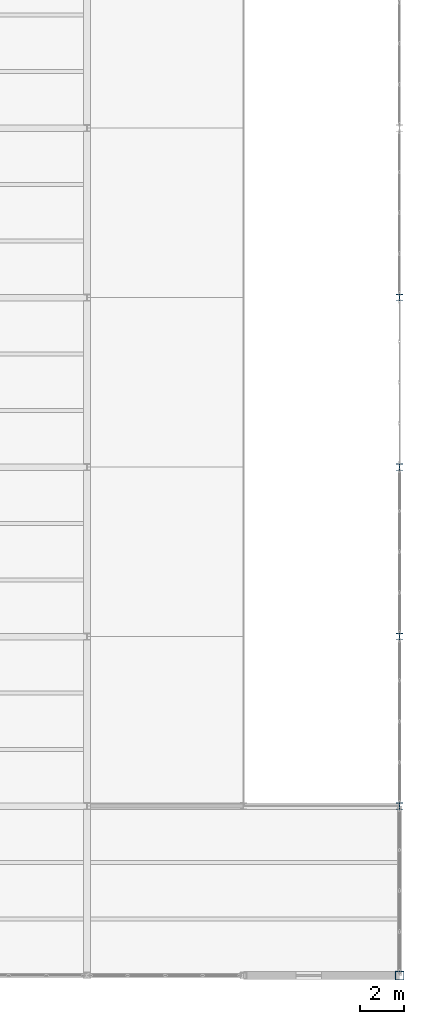
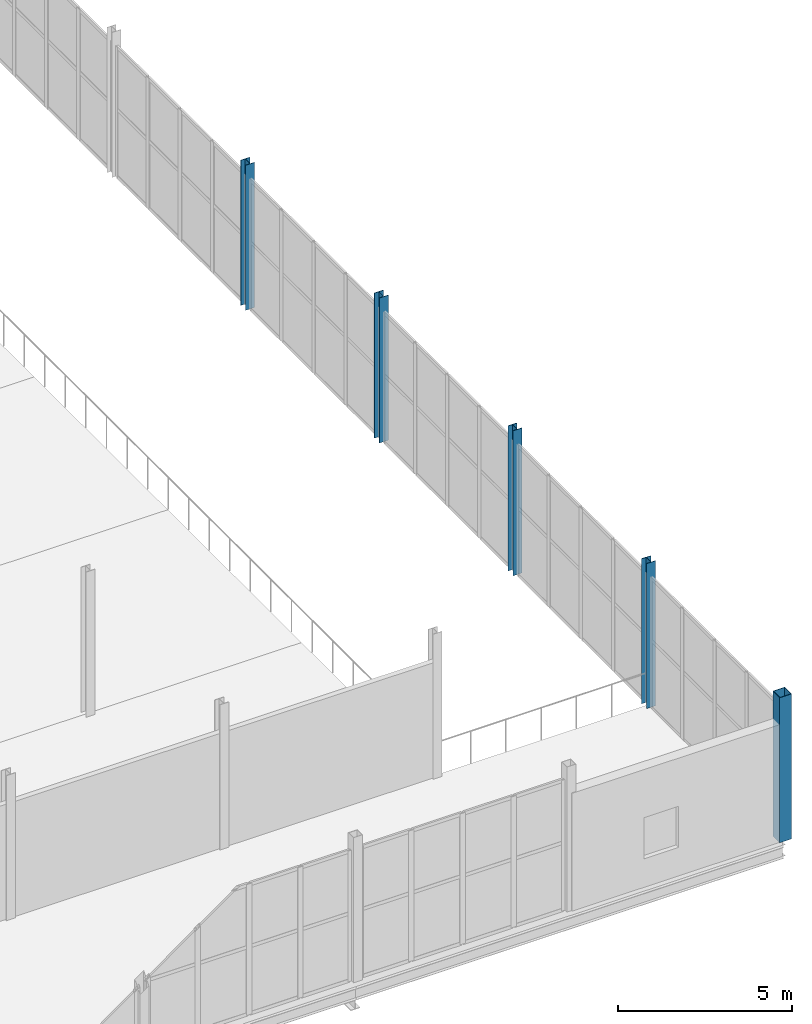
# One storey, part 23 of 218: 5 columns.
"""IFC4 building model written with IfcOpenShell, lengths in metres."""

from ifc_helpers import new_model, si_unit, direction, frame, origin, origin_2d, place, context, subcontext, project, spatial, hollow_rectangle, i_section, extrude, material, material_profile, profile_set, type_object, element, save


model = new_model("IFC4")

# Units and contexts
model_context = context("Model", 3, precision=1e-05, world=origin(), true_north=direction((0.0, 1.0)))
body_context = subcontext(model_context, "Body", "Model", "MODEL_VIEW")
ifc_project = project(units=[si_unit("LENGTHUNIT", "METRE"), si_unit("AREAUNIT", "SQUARE_METRE"), si_unit("VOLUMEUNIT", "CUBIC_METRE"), si_unit("PLANEANGLEUNIT", "RADIAN"), si_unit("MASSUNIT", "GRAM", prefix="KILO")], contexts=[model_context])

# Site, building, storey
site_placement = place(None, origin())
site = spatial("IfcSite", under=ifc_project, at=site_placement, CompositionType="ELEMENT")
building_placement = place(site_placement, origin())
building = spatial("IfcBuilding", under=site, at=building_placement, Name="Kazenagashi Tramway Depot", CompositionType="ELEMENT")
storey_placement = place(building_placement, frame((0.0, 0.0, 6.0)))
storey = spatial("IfcBuildingStorey", under=building, at=storey_placement, Name="L02", CompositionType="ELEMENT", Elevation=6.0)

# Columns
ifc_material_1 = material(Name="Steel SN490B", Category="steel")
ifc_material_profile_1 = material_profile(ifc_material_1, i_section(OverallWidth=0.3, OverallDepth=0.3, WebThickness=0.01, FlangeThickness=0.015, at=origin_2d()), Name="H-300x300x10x15")
ifc_profile_set_1 = profile_set([ifc_material_profile_1], Name="Steel SN490B")
column_type_1 = type_object("IfcColumnType", Name="C-05", PredefinedType="COLUMN", material=ifc_profile_set_1)
for number, where, z_axis, x_axis, name in (
    (1, (196.0, 7.7, 0.0), (0.0, 0.0, 1.0), (1.0, 0.0, 0.0), "Column C-05 COL-0507"),
    (2, (196.0, 15.4, 0.0), (0.0, 0.0, 1.0), (1.0, 0.0, 0.0), "Column C-05 COL-0509"),
    (3, (196.0, 23.1, 0.0), (0.0, 0.0, 1.0), (1.0, 0.0, 0.0), "Column C-05 COL-0511"),
    (4, (196.0, 30.8, 0.0), (0.0, 0.0, 1.0), (1.0, 0.0, 0.0), "Column C-05 COL-0513"),
):
    element("IfcColumn", number, at=place(storey_placement, frame(where, z_axis=z_axis, x_axis=x_axis)), inside=storey, type_object=column_type_1, Name=name, PredefinedType="COLUMN", context=body_context, shape_type="SweptSolid", body=[
        extrude(i_section(OverallWidth=0.3, OverallDepth=0.3, WebThickness=0.01, FlangeThickness=0.015, at=origin_2d()), origin(), (0.0, 0.0, 1.0), 5.1),
    ])
ifc_material_2 = material(Name="Steel STKR490", Category="steel")
ifc_material_profile_2 = material_profile(ifc_material_2, hollow_rectangle(XDim=0.4, YDim=0.4, WallThickness=0.016, at=origin_2d()), Name="SHS-400x400x16")
ifc_profile_set_2 = profile_set([ifc_material_profile_2], Name="Steel STKR490")
column_type_2 = type_object("IfcColumnType", Name="C-16", PredefinedType="COLUMN", material=ifc_profile_set_2)
column_placement = place(storey_placement, frame((196.0, 0.0, 0.0), z_axis=(0.0, 0.0, 1.0), x_axis=(1.0, 0.0, 0.0)))
element("IfcColumn", 5, at=column_placement, inside=storey, type_object=column_type_2, Name="Column C-16 COL-0505", PredefinedType="COLUMN", context=body_context, shape_type="SweptSolid", body=[
    extrude(hollow_rectangle(XDim=0.4, YDim=0.4, WallThickness=0.016, at=origin_2d()), origin(), (0.0, 0.0, 1.0), 5.1),
])

save(model, "model.ifc")
